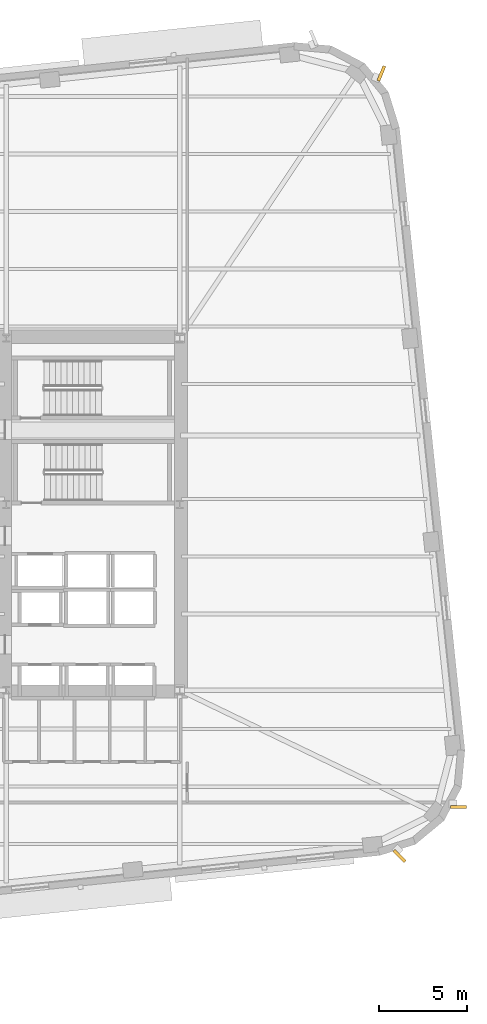
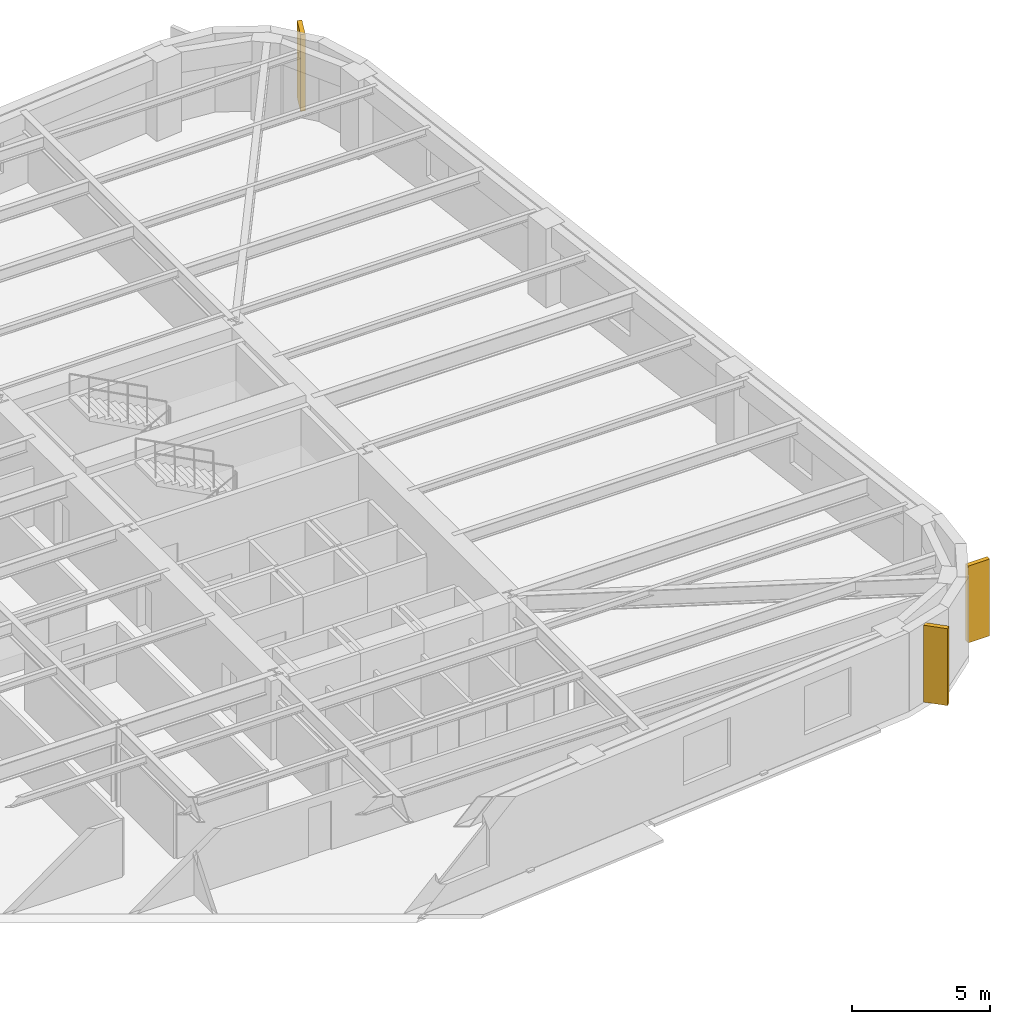
# One storey, part 15 of 15: 3 shading devices.
"""IFC4 building model written with IfcOpenShell, lengths in metres."""

from ifc_helpers import new_model, si_unit, direction, frame, origin, origin_2d, place, context, subcontext, project, spatial, rectangle, extrude, material, type_object, element, save


model = new_model("IFC4")

# Units and contexts
model_context = context("Model", 3, precision=1e-05, world=origin(), true_north=direction((0.0, 1.0)))
body_context = subcontext(model_context, "Body", "Model", "MODEL_VIEW")
ifc_project = project(units=[si_unit("LENGTHUNIT", "METRE"), si_unit("AREAUNIT", "SQUARE_METRE"), si_unit("VOLUMEUNIT", "CUBIC_METRE"), si_unit("PLANEANGLEUNIT", "RADIAN"), si_unit("MASSUNIT", "GRAM", prefix="KILO")], contexts=[model_context])

# Site, building, storey
site_placement = place(None, origin())
site = spatial("IfcSite", under=ifc_project, at=site_placement, CompositionType="ELEMENT")
building_placement = place(site_placement, origin())
building = spatial("IfcBuilding", under=site, at=building_placement, Name="Kolvaren Arena Tower", CompositionType="ELEMENT")
storey_placement = place(building_placement, frame((0.0, 0.0, 118.449951171875)))
storey = spatial("IfcBuildingStorey", under=building, at=storey_placement, Name="L27", CompositionType="ELEMENT", Elevation=118.449951171875)

# Shading devices
ifc_material = material(Name="Precast architectural concrete C50/60 rib fin", Category="concrete")
shading_device_type = type_object("IfcShadingDeviceType", Name="SHAD-FIN-28", PredefinedType="USERDEFINED", material=ifc_material)
for number, where, z_axis, x_axis, name in (
    (1, (72.7763671875, 10.080078125, 0.02001953125), (0.0, 0.0, 1.0), (0.710184146885, -0.704015963962, 0.0), "Precast 28-Deg Corner Rib Fin (L27)"),
    (2, (76.1044921875, 12.848388671875, 0.02001953125), (0.0, 0.0, 1.0), (0.999990541547, 0.004349346783, 0.0), "Precast 28-Deg Corner Rib Fin (L27)"),
    (3, (71.747314453125, 54.304931640625, 0.02001953125), (0.0, 0.0, 1.0), (0.378634078949, 0.925546451702, 0.0), "Precast 28-Deg Corner Rib Fin (L27)"),
):
    element("IfcShadingDevice", number, at=place(storey_placement, frame(where, z_axis=z_axis, x_axis=x_axis)), inside=storey, type_object=shading_device_type, Name=name, ObjectType="FIN", PredefinedType="USERDEFINED", context=body_context, shape_type="SweptSolid", body=[
        extrude(rectangle(XDim=0.89990234375, YDim=0.179931640625, at=origin_2d()), origin(), (0.0, 0.0, 1.0), 3.39990234375),
    ])

save(model, "model.ifc")
